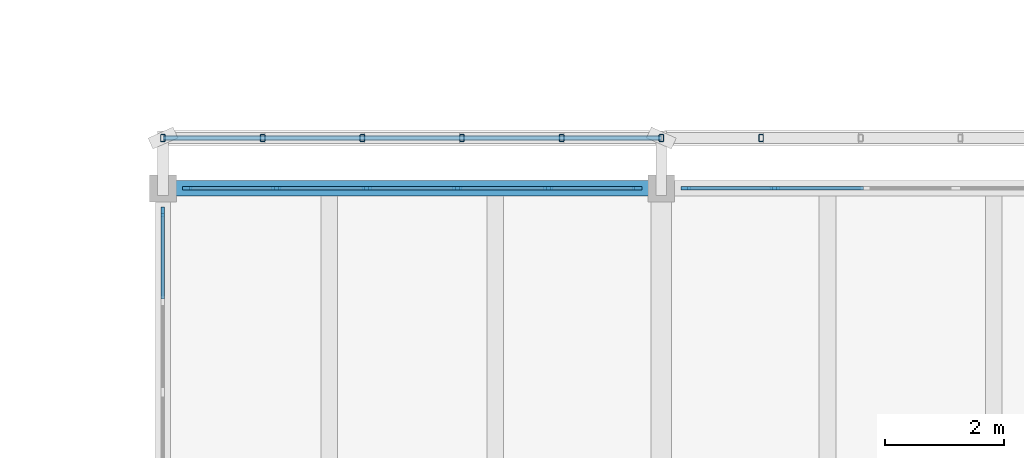
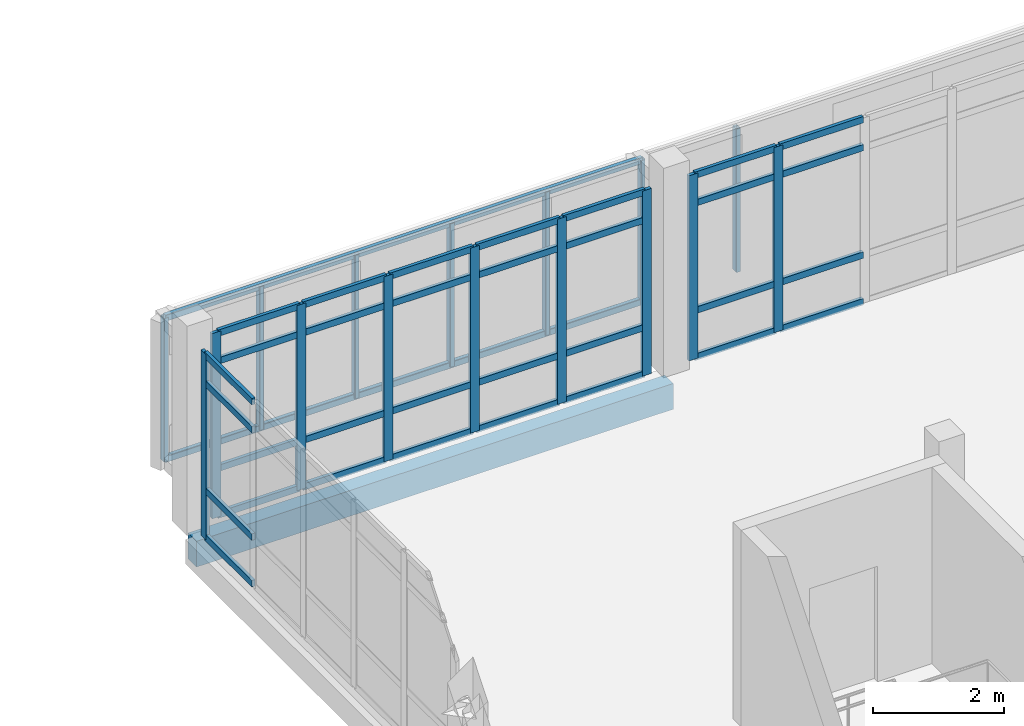
# One storey, part 14 of 117: 50 members, 1 beam, 3 elements without a shape of their own.
"""IFC4 building model written with IfcOpenShell, lengths in metres."""

from ifc_helpers import new_model, si_unit, direction, frame, origin, origin_2d, place, context, subcontext, project, spatial, rectangle, hollow_rectangle, extrude, material, material_profile, profile_set, type_object, element, aggregate, save


model = new_model("IFC4")

# Units and contexts
model_context = context("Model", 3, precision=1e-05, world=origin(), true_north=direction((0.0, 1.0)))
body_context = subcontext(model_context, "Body", "Model", "MODEL_VIEW")
ifc_project = project(units=[si_unit("LENGTHUNIT", "METRE"), si_unit("AREAUNIT", "SQUARE_METRE"), si_unit("VOLUMEUNIT", "CUBIC_METRE"), si_unit("PLANEANGLEUNIT", "RADIAN"), si_unit("MASSUNIT", "GRAM", prefix="KILO")], contexts=[model_context])

# Site, building, storey
site_placement = place(None, origin())
site = spatial("IfcSite", under=ifc_project, at=site_placement, CompositionType="ELEMENT")
building_placement = place(site_placement, origin())
building = spatial("IfcBuilding", under=site, at=building_placement, Name="Cinderway Yard Community Centre", CompositionType="ELEMENT")
storey_placement = place(building_placement, frame((0.0, 0.0, 9.0)))
storey = spatial("IfcBuildingStorey", under=building, at=storey_placement, Name="L02", CompositionType="ELEMENT", Elevation=9.0)

# Curtain wall, members
ifc_material_1 = material(Name="Aluminium 6063-T6", Category="aluminium")
curtain_wall_type_1 = type_object("IfcCurtainWallType", Name="ENV-CW-TYPE-29", PredefinedType="USERDEFINED", material=ifc_material_1)
curtain_wall_1_placement = place(storey_placement, origin())
curtain_wall_1 = element("IfcCurtainWall", 1, at=curtain_wall_1_placement, inside=storey, type_object=curtain_wall_type_1, Name="Dining Courtyard Curtain Wall ENV-CW-L02-ST-0101", ObjectType="GLAZED CURTAIN WALL", PredefinedType="USERDEFINED")
ifc_material_profile_1 = material_profile(ifc_material_1, rectangle(XDim=0.06005859375, YDim=0.159912109375, at=origin_2d()), Name="Aluminium 6063-T6")
ifc_profile_set_1 = profile_set([ifc_material_profile_1], Name="Aluminium 6063-T6")
member_type_1 = type_object("IfcMemberType", Name="ENV-CW-MULL-150", PredefinedType="MULLION", material=ifc_profile_set_1)
member_1_placement = place(storey_placement, frame((58.81005859375, 22.800048828125, 0.0), z_axis=(0.0, 0.0, 1.0), x_axis=(0.0, 1.0, 0.0)))
member_1 = element("IfcMember", 2, at=member_1_placement, type_object=member_type_1, Name="CW-29 mullion 1", PredefinedType="MULLION", context=body_context, shape_type="SweptSolid", body=[
    extrude(rectangle(XDim=0.06005859375, YDim=0.159912109375, at=origin_2d()), origin(), (0.0, 0.0, 1.0), 3.449951171875),
])
member_2_placement = place(storey_placement, frame((60.30810546875, 22.800048828125, 0.0), z_axis=(0.0, 0.0, 1.0), x_axis=(0.0, 1.0, 0.0)))
member_2 = element("IfcMember", 3, at=member_2_placement, type_object=member_type_1, Name="CW-29 mullion 2", PredefinedType="MULLION", context=body_context, shape_type="SweptSolid", body=[
    extrude(rectangle(XDim=0.06005859375, YDim=0.159912109375, at=origin_2d()), origin(), (0.0, 0.0, 1.0), 3.449951171875),
])
member_3_placement = place(storey_placement, frame((61.8359375, 22.800048828125, 0.0), z_axis=(0.0, 0.0, 1.0), x_axis=(0.0, 1.0, 0.0)))
member_3 = element("IfcMember", 4, at=member_3_placement, type_object=member_type_1, Name="CW-29 mullion 3", PredefinedType="MULLION", context=body_context, shape_type="SweptSolid", body=[
    extrude(rectangle(XDim=0.06005859375, YDim=0.159912109375, at=origin_2d()), origin(), (0.0, 0.0, 1.0), 3.449951171875),
])
member_4_placement = place(storey_placement, frame((63.364013671875, 22.800048828125, 0.0), z_axis=(0.0, 0.0, 1.0), x_axis=(0.0, 1.0, 0.0)))
member_4 = element("IfcMember", 5, at=member_4_placement, type_object=member_type_1, Name="CW-29 mullion 4", PredefinedType="MULLION", context=body_context, shape_type="SweptSolid", body=[
    extrude(rectangle(XDim=0.06005859375, YDim=0.159912109375, at=origin_2d()), origin(), (0.0, 0.0, 1.0), 3.449951171875),
])
member_5_placement = place(storey_placement, frame((64.89208984375, 22.800048828125, 0.0), z_axis=(0.0, 0.0, 1.0), x_axis=(0.0, 1.0, 0.0)))
member_5 = element("IfcMember", 6, at=member_5_placement, type_object=member_type_1, Name="CW-29 mullion 5", PredefinedType="MULLION", context=body_context, shape_type="SweptSolid", body=[
    extrude(rectangle(XDim=0.06005859375, YDim=0.159912109375, at=origin_2d()), origin(), (0.0, 0.0, 1.0), 3.449951171875),
])
member_6_placement = place(storey_placement, frame((66.389892578125, 22.800048828125, 0.0), z_axis=(0.0, 0.0, 1.0), x_axis=(0.0, 1.0, 0.0)))
member_6 = element("IfcMember", 7, at=member_6_placement, type_object=member_type_1, Name="CW-29 mullion 6", PredefinedType="MULLION", context=body_context, shape_type="SweptSolid", body=[
    extrude(rectangle(XDim=0.06005859375, YDim=0.159912109375, at=origin_2d()), origin(), (0.0, 0.0, 1.0), 3.449951171875),
])

curtain_wall_2_placement = place(storey_placement, origin())
curtain_wall_2 = element("IfcCurtainWall", 8, at=curtain_wall_2_placement, inside=storey, type_object=curtain_wall_type_1, Name="Dining Courtyard Curtain Wall ENV-CW-L02-ST-0102", ObjectType="GLAZED CURTAIN WALL", PredefinedType="USERDEFINED")
member_7_placement = place(storey_placement, frame((67.2099609375, 22.800048828125, 0.0), z_axis=(0.0, 0.0, 1.0), x_axis=(0.0, 1.0, 0.0)))
member_7 = element("IfcMember", 9, at=member_7_placement, type_object=member_type_1, Name="CW-29 mullion 1", PredefinedType="MULLION", context=body_context, shape_type="SweptSolid", body=[
    extrude(rectangle(XDim=0.06005859375, YDim=0.159912109375, at=origin_2d()), origin(), (0.0, 0.0, 1.0), 3.449951171875),
])
member_8_placement = place(storey_placement, frame((68.7080078125, 22.800048828125, 0.0), z_axis=(0.0, 0.0, 1.0), x_axis=(0.0, 1.0, 0.0)))
member_8 = element("IfcMember", 10, at=member_8_placement, type_object=member_type_1, Name="CW-29 mullion 2", PredefinedType="MULLION", context=body_context, shape_type="SweptSolid", body=[
    extrude(rectangle(XDim=0.06005859375, YDim=0.159912109375, at=origin_2d()), origin(), (0.0, 0.0, 1.0), 3.449951171875),
])

# Curtain wall, member
curtain_wall_type_2 = type_object("IfcCurtainWallType", Name="ENV-CW-TYPE-31", PredefinedType="USERDEFINED", material=ifc_material_1)
curtain_wall_3_placement = place(storey_placement, origin())
curtain_wall_3 = element("IfcCurtainWall", 11, at=curtain_wall_3_placement, inside=storey, type_object=curtain_wall_type_2, Name="V3 West Curtain Wall ENV-CW-L02-ST-0107", ObjectType="GLAZED CURTAIN WALL", PredefinedType="USERDEFINED")
member_9_placement = place(storey_placement, frame((58.39990234375, 22.409912109375, 0.0), z_axis=(0.0, 0.0, 1.0), x_axis=(-1.0, 0.0, 0.0)))
member_9 = element("IfcMember", 12, at=member_9_placement, type_object=member_type_1, Name="CW-31 mullion 6", PredefinedType="MULLION", context=body_context, shape_type="SweptSolid", body=[
    extrude(rectangle(XDim=0.06005859375, YDim=0.159912109375, at=origin_2d()), origin(), (0.0, 0.0, 1.0), 3.449951171875),
])

# Member
ifc_material_profile_2 = material_profile(ifc_material_1, rectangle(XDim=0.06005859375, YDim=0.1201171875, at=origin_2d()), Name="Aluminium 6063-T6")
ifc_profile_set_2 = profile_set([ifc_material_profile_2], Name="Aluminium 6063-T6")
member_type_2 = type_object("IfcMemberType", Name="ENV-CW-TRAN-110", PredefinedType="USERDEFINED", material=ifc_profile_set_2)
member_10_placement = place(storey_placement, frame((58.840087890625, 22.800048828125, 0.030029296875), z_axis=(1.0, 0.0, 0.0), x_axis=(0.0, 1.0, 0.0)))
member_10 = element("IfcMember", 13, at=member_10_placement, type_object=member_type_2, Name="CW-29 transom 1.1", ObjectType="TRANSOM", PredefinedType="USERDEFINED", context=body_context, shape_type="SweptSolid", body=[
    extrude(rectangle(XDim=0.06005859375, YDim=0.1201171875, at=origin_2d()), origin(), (0.0, 0.0, 1.0), 1.43798828125),
])

member_11_placement = place(storey_placement, frame((58.840087890625, 22.800048828125, 0.89990234375), z_axis=(1.0, 0.0, 0.0), x_axis=(0.0, 1.0, 0.0)))
member_11 = element("IfcMember", 14, at=member_11_placement, type_object=member_type_2, Name="CW-29 transom 1.2", ObjectType="TRANSOM", PredefinedType="USERDEFINED", context=body_context, shape_type="SweptSolid", body=[
    extrude(rectangle(XDim=0.06005859375, YDim=0.1201171875, at=origin_2d()), origin(), (0.0, 0.0, 1.0), 1.43798828125),
])

member_12_placement = place(storey_placement, frame((58.840087890625, 22.800048828125, 2.89990234375), z_axis=(1.0, 0.0, 0.0), x_axis=(0.0, 1.0, 0.0)))
member_12 = element("IfcMember", 15, at=member_12_placement, type_object=member_type_2, Name="CW-29 transom 1.3", ObjectType="TRANSOM", PredefinedType="USERDEFINED", context=body_context, shape_type="SweptSolid", body=[
    extrude(rectangle(XDim=0.06005859375, YDim=0.1201171875, at=origin_2d()), origin(), (0.0, 0.0, 1.0), 1.43798828125),
])

member_13_placement = place(storey_placement, frame((58.840087890625, 22.800048828125, 3.419921875), z_axis=(1.0, 0.0, 0.0), x_axis=(0.0, 1.0, 0.0)))
member_13 = element("IfcMember", 16, at=member_13_placement, type_object=member_type_2, Name="CW-29 transom 1.4", ObjectType="TRANSOM", PredefinedType="USERDEFINED", context=body_context, shape_type="SweptSolid", body=[
    extrude(rectangle(XDim=0.06005859375, YDim=0.1201171875, at=origin_2d()), origin(), (0.0, 0.0, 1.0), 1.43798828125),
])

member_14_placement = place(storey_placement, frame((60.337890625, 22.800048828125, 0.030029296875), z_axis=(1.0, 0.0, 0.0), x_axis=(0.0, 1.0, 0.0)))
member_14 = element("IfcMember", 17, at=member_14_placement, type_object=member_type_2, Name="CW-29 transom 2.1", ObjectType="TRANSOM", PredefinedType="USERDEFINED", context=body_context, shape_type="SweptSolid", body=[
    extrude(rectangle(XDim=0.06005859375, YDim=0.1201171875, at=origin_2d()), origin(), (0.0, 0.0, 1.0), 1.468017578125),
])

member_15_placement = place(storey_placement, frame((60.337890625, 22.800048828125, 0.89990234375), z_axis=(1.0, 0.0, 0.0), x_axis=(0.0, 1.0, 0.0)))
member_15 = element("IfcMember", 18, at=member_15_placement, type_object=member_type_2, Name="CW-29 transom 2.2", ObjectType="TRANSOM", PredefinedType="USERDEFINED", context=body_context, shape_type="SweptSolid", body=[
    extrude(rectangle(XDim=0.06005859375, YDim=0.1201171875, at=origin_2d()), origin(), (0.0, 0.0, 1.0), 1.468017578125),
])

member_16_placement = place(storey_placement, frame((60.337890625, 22.800048828125, 2.89990234375), z_axis=(1.0, 0.0, 0.0), x_axis=(0.0, 1.0, 0.0)))
member_16 = element("IfcMember", 19, at=member_16_placement, type_object=member_type_2, Name="CW-29 transom 2.3", ObjectType="TRANSOM", PredefinedType="USERDEFINED", context=body_context, shape_type="SweptSolid", body=[
    extrude(rectangle(XDim=0.06005859375, YDim=0.1201171875, at=origin_2d()), origin(), (0.0, 0.0, 1.0), 1.468017578125),
])

member_17_placement = place(storey_placement, frame((60.337890625, 22.800048828125, 3.419921875), z_axis=(1.0, 0.0, 0.0), x_axis=(0.0, 1.0, 0.0)))
member_17 = element("IfcMember", 20, at=member_17_placement, type_object=member_type_2, Name="CW-29 transom 2.4", ObjectType="TRANSOM", PredefinedType="USERDEFINED", context=body_context, shape_type="SweptSolid", body=[
    extrude(rectangle(XDim=0.06005859375, YDim=0.1201171875, at=origin_2d()), origin(), (0.0, 0.0, 1.0), 1.468017578125),
])

member_18_placement = place(storey_placement, frame((61.865966796875, 22.800048828125, 0.030029296875), z_axis=(1.0, 0.0, 0.0), x_axis=(0.0, 1.0, 0.0)))
member_18 = element("IfcMember", 21, at=member_18_placement, type_object=member_type_2, Name="CW-29 transom 3.1", ObjectType="TRANSOM", PredefinedType="USERDEFINED", context=body_context, shape_type="SweptSolid", body=[
    extrude(rectangle(XDim=0.06005859375, YDim=0.1201171875, at=origin_2d()), origin(), (0.0, 0.0, 1.0), 1.468017578125),
])

member_19_placement = place(storey_placement, frame((61.865966796875, 22.800048828125, 0.89990234375), z_axis=(1.0, 0.0, 0.0), x_axis=(0.0, 1.0, 0.0)))
member_19 = element("IfcMember", 22, at=member_19_placement, type_object=member_type_2, Name="CW-29 transom 3.2", ObjectType="TRANSOM", PredefinedType="USERDEFINED", context=body_context, shape_type="SweptSolid", body=[
    extrude(rectangle(XDim=0.06005859375, YDim=0.1201171875, at=origin_2d()), origin(), (0.0, 0.0, 1.0), 1.468017578125),
])

member_20_placement = place(storey_placement, frame((61.865966796875, 22.800048828125, 2.89990234375), z_axis=(1.0, 0.0, 0.0), x_axis=(0.0, 1.0, 0.0)))
member_20 = element("IfcMember", 23, at=member_20_placement, type_object=member_type_2, Name="CW-29 transom 3.3", ObjectType="TRANSOM", PredefinedType="USERDEFINED", context=body_context, shape_type="SweptSolid", body=[
    extrude(rectangle(XDim=0.06005859375, YDim=0.1201171875, at=origin_2d()), origin(), (0.0, 0.0, 1.0), 1.468017578125),
])

member_21_placement = place(storey_placement, frame((61.865966796875, 22.800048828125, 3.419921875), z_axis=(1.0, 0.0, 0.0), x_axis=(0.0, 1.0, 0.0)))
member_21 = element("IfcMember", 24, at=member_21_placement, type_object=member_type_2, Name="CW-29 transom 3.4", ObjectType="TRANSOM", PredefinedType="USERDEFINED", context=body_context, shape_type="SweptSolid", body=[
    extrude(rectangle(XDim=0.06005859375, YDim=0.1201171875, at=origin_2d()), origin(), (0.0, 0.0, 1.0), 1.468017578125),
])

member_22_placement = place(storey_placement, frame((63.39404296875, 22.800048828125, 0.030029296875), z_axis=(1.0, 0.0, 0.0), x_axis=(0.0, 1.0, 0.0)))
member_22 = element("IfcMember", 25, at=member_22_placement, type_object=member_type_2, Name="CW-29 transom 4.1", ObjectType="TRANSOM", PredefinedType="USERDEFINED", context=body_context, shape_type="SweptSolid", body=[
    extrude(rectangle(XDim=0.06005859375, YDim=0.1201171875, at=origin_2d()), origin(), (0.0, 0.0, 1.0), 1.468017578125),
])

member_23_placement = place(storey_placement, frame((63.39404296875, 22.800048828125, 0.89990234375), z_axis=(1.0, 0.0, 0.0), x_axis=(0.0, 1.0, 0.0)))
member_23 = element("IfcMember", 26, at=member_23_placement, type_object=member_type_2, Name="CW-29 transom 4.2", ObjectType="TRANSOM", PredefinedType="USERDEFINED", context=body_context, shape_type="SweptSolid", body=[
    extrude(rectangle(XDim=0.06005859375, YDim=0.1201171875, at=origin_2d()), origin(), (0.0, 0.0, 1.0), 1.468017578125),
])

member_24_placement = place(storey_placement, frame((63.39404296875, 22.800048828125, 2.89990234375), z_axis=(1.0, 0.0, 0.0), x_axis=(0.0, 1.0, 0.0)))
member_24 = element("IfcMember", 27, at=member_24_placement, type_object=member_type_2, Name="CW-29 transom 4.3", ObjectType="TRANSOM", PredefinedType="USERDEFINED", context=body_context, shape_type="SweptSolid", body=[
    extrude(rectangle(XDim=0.06005859375, YDim=0.1201171875, at=origin_2d()), origin(), (0.0, 0.0, 1.0), 1.468017578125),
])

member_25_placement = place(storey_placement, frame((63.39404296875, 22.800048828125, 3.419921875), z_axis=(1.0, 0.0, 0.0), x_axis=(0.0, 1.0, 0.0)))
member_25 = element("IfcMember", 28, at=member_25_placement, type_object=member_type_2, Name="CW-29 transom 4.4", ObjectType="TRANSOM", PredefinedType="USERDEFINED", context=body_context, shape_type="SweptSolid", body=[
    extrude(rectangle(XDim=0.06005859375, YDim=0.1201171875, at=origin_2d()), origin(), (0.0, 0.0, 1.0), 1.468017578125),
])

member_26_placement = place(storey_placement, frame((64.922119140625, 22.800048828125, 0.030029296875), z_axis=(1.0, 0.0, 0.0), x_axis=(0.0, 1.0, 0.0)))
member_26 = element("IfcMember", 29, at=member_26_placement, type_object=member_type_2, Name="CW-29 transom 5.1", ObjectType="TRANSOM", PredefinedType="USERDEFINED", context=body_context, shape_type="SweptSolid", body=[
    extrude(rectangle(XDim=0.06005859375, YDim=0.1201171875, at=origin_2d()), origin(), (0.0, 0.0, 1.0), 1.43798828125),
])

member_27_placement = place(storey_placement, frame((64.922119140625, 22.800048828125, 0.89990234375), z_axis=(1.0, 0.0, 0.0), x_axis=(0.0, 1.0, 0.0)))
member_27 = element("IfcMember", 30, at=member_27_placement, type_object=member_type_2, Name="CW-29 transom 5.2", ObjectType="TRANSOM", PredefinedType="USERDEFINED", context=body_context, shape_type="SweptSolid", body=[
    extrude(rectangle(XDim=0.06005859375, YDim=0.1201171875, at=origin_2d()), origin(), (0.0, 0.0, 1.0), 1.43798828125),
])

member_28_placement = place(storey_placement, frame((64.922119140625, 22.800048828125, 2.89990234375), z_axis=(1.0, 0.0, 0.0), x_axis=(0.0, 1.0, 0.0)))
member_28 = element("IfcMember", 31, at=member_28_placement, type_object=member_type_2, Name="CW-29 transom 5.3", ObjectType="TRANSOM", PredefinedType="USERDEFINED", context=body_context, shape_type="SweptSolid", body=[
    extrude(rectangle(XDim=0.06005859375, YDim=0.1201171875, at=origin_2d()), origin(), (0.0, 0.0, 1.0), 1.43798828125),
])

member_29_placement = place(storey_placement, frame((64.922119140625, 22.800048828125, 3.419921875), z_axis=(1.0, 0.0, 0.0), x_axis=(0.0, 1.0, 0.0)))
member_29 = element("IfcMember", 32, at=member_29_placement, type_object=member_type_2, Name="CW-29 transom 5.4", ObjectType="TRANSOM", PredefinedType="USERDEFINED", context=body_context, shape_type="SweptSolid", body=[
    extrude(rectangle(XDim=0.06005859375, YDim=0.1201171875, at=origin_2d()), origin(), (0.0, 0.0, 1.0), 1.43798828125),
])

aggregate(curtain_wall_1, [member_1, member_2, member_3, member_4, member_5, member_6, member_10, member_11, member_12, member_13, member_14, member_15, member_16, member_17, member_18, member_19, member_20, member_21, member_22, member_23, member_24, member_25, member_26, member_27, member_28, member_29])

member_30_placement = place(storey_placement, frame((67.239990234375, 22.800048828125, 0.030029296875), z_axis=(1.0, 0.0, 0.0), x_axis=(0.0, 1.0, 0.0)))
member_30 = element("IfcMember", 33, at=member_30_placement, type_object=member_type_2, Name="CW-29 transom 1.1", ObjectType="TRANSOM", PredefinedType="USERDEFINED", context=body_context, shape_type="SweptSolid", body=[
    extrude(rectangle(XDim=0.06005859375, YDim=0.1201171875, at=origin_2d()), origin(), (0.0, 0.0, 1.0), 1.43798828125),
])

member_31_placement = place(storey_placement, frame((67.239990234375, 22.800048828125, 0.89990234375), z_axis=(1.0, 0.0, 0.0), x_axis=(0.0, 1.0, 0.0)))
member_31 = element("IfcMember", 34, at=member_31_placement, type_object=member_type_2, Name="CW-29 transom 1.2", ObjectType="TRANSOM", PredefinedType="USERDEFINED", context=body_context, shape_type="SweptSolid", body=[
    extrude(rectangle(XDim=0.06005859375, YDim=0.1201171875, at=origin_2d()), origin(), (0.0, 0.0, 1.0), 1.43798828125),
])

member_32_placement = place(storey_placement, frame((67.239990234375, 22.800048828125, 2.89990234375), z_axis=(1.0, 0.0, 0.0), x_axis=(0.0, 1.0, 0.0)))
member_32 = element("IfcMember", 35, at=member_32_placement, type_object=member_type_2, Name="CW-29 transom 1.3", ObjectType="TRANSOM", PredefinedType="USERDEFINED", context=body_context, shape_type="SweptSolid", body=[
    extrude(rectangle(XDim=0.06005859375, YDim=0.1201171875, at=origin_2d()), origin(), (0.0, 0.0, 1.0), 1.43798828125),
])

member_33_placement = place(storey_placement, frame((67.239990234375, 22.800048828125, 3.419921875), z_axis=(1.0, 0.0, 0.0), x_axis=(0.0, 1.0, 0.0)))
member_33 = element("IfcMember", 36, at=member_33_placement, type_object=member_type_2, Name="CW-29 transom 1.4", ObjectType="TRANSOM", PredefinedType="USERDEFINED", context=body_context, shape_type="SweptSolid", body=[
    extrude(rectangle(XDim=0.06005859375, YDim=0.1201171875, at=origin_2d()), origin(), (0.0, 0.0, 1.0), 1.43798828125),
])

member_34_placement = place(storey_placement, frame((68.738037109375, 22.800048828125, 0.030029296875), z_axis=(1.0, 0.0, 0.0), x_axis=(0.0, 1.0, 0.0)))
member_34 = element("IfcMember", 37, at=member_34_placement, type_object=member_type_2, Name="CW-29 transom 2.1", ObjectType="TRANSOM", PredefinedType="USERDEFINED", context=body_context, shape_type="SweptSolid", body=[
    extrude(rectangle(XDim=0.06005859375, YDim=0.1201171875, at=origin_2d()), origin(), (0.0, 0.0, 1.0), 1.468017578125),
])

member_35_placement = place(storey_placement, frame((68.738037109375, 22.800048828125, 0.89990234375), z_axis=(1.0, 0.0, 0.0), x_axis=(0.0, 1.0, 0.0)))
member_35 = element("IfcMember", 38, at=member_35_placement, type_object=member_type_2, Name="CW-29 transom 2.2", ObjectType="TRANSOM", PredefinedType="USERDEFINED", context=body_context, shape_type="SweptSolid", body=[
    extrude(rectangle(XDim=0.06005859375, YDim=0.1201171875, at=origin_2d()), origin(), (0.0, 0.0, 1.0), 1.468017578125),
])

member_36_placement = place(storey_placement, frame((68.738037109375, 22.800048828125, 2.89990234375), z_axis=(1.0, 0.0, 0.0), x_axis=(0.0, 1.0, 0.0)))
member_36 = element("IfcMember", 39, at=member_36_placement, type_object=member_type_2, Name="CW-29 transom 2.3", ObjectType="TRANSOM", PredefinedType="USERDEFINED", context=body_context, shape_type="SweptSolid", body=[
    extrude(rectangle(XDim=0.06005859375, YDim=0.1201171875, at=origin_2d()), origin(), (0.0, 0.0, 1.0), 1.468017578125),
])

member_37_placement = place(storey_placement, frame((68.738037109375, 22.800048828125, 3.419921875), z_axis=(1.0, 0.0, 0.0), x_axis=(0.0, 1.0, 0.0)))
member_37 = element("IfcMember", 40, at=member_37_placement, type_object=member_type_2, Name="CW-29 transom 2.4", ObjectType="TRANSOM", PredefinedType="USERDEFINED", context=body_context, shape_type="SweptSolid", body=[
    extrude(rectangle(XDim=0.06005859375, YDim=0.1201171875, at=origin_2d()), origin(), (0.0, 0.0, 1.0), 1.468017578125),
])

aggregate(curtain_wall_2, [member_7, member_8, member_30, member_31, member_32, member_33, member_34, member_35, member_36, member_37])

member_38_placement = place(storey_placement, frame((58.39990234375, 20.93408203125, 0.030029296875), z_axis=(0.0, 1.0, 0.0), x_axis=(-1.0, 0.0, 0.0)))
member_38 = element("IfcMember", 41, at=member_38_placement, type_object=member_type_2, Name="CW-31 transom 5.1", ObjectType="TRANSOM", PredefinedType="USERDEFINED", context=body_context, shape_type="SweptSolid", body=[
    extrude(rectangle(XDim=0.06005859375, YDim=0.1201171875, at=origin_2d()), origin(), (0.0, 0.0, 1.0), 1.44580078125),
])

member_39_placement = place(storey_placement, frame((58.39990234375, 20.93408203125, 0.89990234375), z_axis=(0.0, 1.0, 0.0), x_axis=(-1.0, 0.0, 0.0)))
member_39 = element("IfcMember", 42, at=member_39_placement, type_object=member_type_2, Name="CW-31 transom 5.2", ObjectType="TRANSOM", PredefinedType="USERDEFINED", context=body_context, shape_type="SweptSolid", body=[
    extrude(rectangle(XDim=0.06005859375, YDim=0.1201171875, at=origin_2d()), origin(), (0.0, 0.0, 1.0), 1.44580078125),
])

member_40_placement = place(storey_placement, frame((58.39990234375, 20.93408203125, 2.89990234375), z_axis=(0.0, 1.0, 0.0), x_axis=(-1.0, 0.0, 0.0)))
member_40 = element("IfcMember", 43, at=member_40_placement, type_object=member_type_2, Name="CW-31 transom 5.3", ObjectType="TRANSOM", PredefinedType="USERDEFINED", context=body_context, shape_type="SweptSolid", body=[
    extrude(rectangle(XDim=0.06005859375, YDim=0.1201171875, at=origin_2d()), origin(), (0.0, 0.0, 1.0), 1.44580078125),
])

member_41_placement = place(storey_placement, frame((58.39990234375, 20.93408203125, 3.419921875), z_axis=(0.0, 1.0, 0.0), x_axis=(-1.0, 0.0, 0.0)))
member_41 = element("IfcMember", 44, at=member_41_placement, type_object=member_type_2, Name="CW-31 transom 5.4", ObjectType="TRANSOM", PredefinedType="USERDEFINED", context=body_context, shape_type="SweptSolid", body=[
    extrude(rectangle(XDim=0.06005859375, YDim=0.1201171875, at=origin_2d()), origin(), (0.0, 0.0, 1.0), 1.44580078125),
])

aggregate(curtain_wall_3, [member_9, member_38, member_39, member_40, member_41])

# Members
ifc_material_2 = material(Name="Steel S355", Category="steel")
ifc_material_profile_3 = material_profile(ifc_material_2, hollow_rectangle(XDim=0.080078125, YDim=0.1201171875, WallThickness=0.00634765625, InnerFilletRadius=0.00634765625, OuterFilletRadius=0.0126953125, at=origin_2d()), Name="Steel S355")
ifc_profile_set_3 = profile_set([ifc_material_profile_3], Name="Steel S355")
member_type_3 = type_object("IfcMemberType", Name="ENV-MEM-SCREEN-RAIL-120", PredefinedType="STRINGER", material=ifc_profile_set_3)
for number, where, z_axis, x_axis, name in (
    (45, (58.39990234375, 23.64990234375, 0.7099609375), (1.0, 0.0, 0.0), (0.0, 1.0, 0.0), "Screen support rail 0691-BOT"),
    (46, (58.39990234375, 23.64990234375, 3.340087890625), (1.0, 0.0, 0.0), (0.0, 1.0, 0.0), "Screen support rail 0692-TOP"),
):
    element("IfcMember", number, at=place(storey_placement, frame(where, z_axis=z_axis, x_axis=x_axis)), inside=storey, type_object=member_type_3, Name=name, PredefinedType="STRINGER", context=body_context, shape_type="SweptSolid", body=[
        extrude(hollow_rectangle(XDim=0.080078125, YDim=0.1201171875, WallThickness=0.00634765625, InnerFilletRadius=0.00634765625, OuterFilletRadius=0.0126953125, at=origin_2d()), origin(), (0.0, 0.0, 1.0), 8.400146484375),
    ])
for number, where, z_axis, x_axis, name in (
    (47, (58.39990234375, 23.64990234375, 0.68994140625), (0.0, 0.0, 1.0), (1.0, 0.0, 0.0), "Screen vertical mullion 0693"),
    (48, (60.080078125, 23.64990234375, 0.68994140625), (0.0, 0.0, 1.0), (1.0, 0.0, 0.0), "Screen vertical mullion 0694"),
    (49, (61.760009765625, 23.64990234375, 0.68994140625), (0.0, 0.0, 1.0), (1.0, 0.0, 0.0), "Screen vertical mullion 0695"),
    (50, (63.43994140625, 23.64990234375, 0.68994140625), (0.0, 0.0, 1.0), (1.0, 0.0, 0.0), "Screen vertical mullion 0696"),
    (51, (65.1201171875, 23.64990234375, 0.68994140625), (0.0, 0.0, 1.0), (1.0, 0.0, 0.0), "Screen vertical mullion 0697"),
    (52, (66.800048828125, 23.64990234375, 0.68994140625), (0.0, 0.0, 1.0), (1.0, 0.0, 0.0), "Screen vertical mullion 0698"),
    (53, (68.47998046875, 23.64990234375, 0.68994140625), (0.0, 0.0, 1.0), (1.0, 0.0, 0.0), "Screen vertical mullion 0702"),
):
    element("IfcMember", number, at=place(storey_placement, frame(where, z_axis=z_axis, x_axis=x_axis)), inside=storey, type_object=member_type_3, Name=name, PredefinedType="STRINGER", context=body_context, shape_type="SweptSolid", body=[
        extrude(hollow_rectangle(XDim=0.080078125, YDim=0.1201171875, WallThickness=0.00634765625, InnerFilletRadius=0.00634765625, OuterFilletRadius=0.0126953125, at=origin_2d()), origin(), (0.0, 0.0, 1.0), 2.670166015625),
    ])

# Beam
ifc_material_3 = material(Name="Concrete C40/50", Category="concrete")
ifc_material_profile_4 = material_profile(ifc_material_3, rectangle(XDim=0.260009765625, YDim=0.47998046875, at=origin_2d()), Name="Concrete C40/50")
ifc_profile_set_4 = profile_set([ifc_material_profile_4], Name="Concrete C40/50")
beam_type = type_object("IfcBeamType", Name="STR-BM-RC260X480", PredefinedType="SPANDREL", material=ifc_profile_set_4)
beam_placement = place(storey_placement, frame((58.39990234375, 22.800048828125, -0.47998046875), z_axis=(1.0, 0.0, 0.0), x_axis=(0.0, 1.0, 0.0)))
element("IfcBeam", 54, at=beam_placement, inside=storey, type_object=beam_type, Name="Primary girder STR-BM-L02-SP01-0449", PredefinedType="SPANDREL", context=body_context, shape_type="SweptSolid", body=[
    extrude(rectangle(XDim=0.260009765625, YDim=0.47998046875, at=origin_2d()), origin(), (0.0, 0.0, 1.0), 8.400146484375),
])

save(model, "model.ifc")
